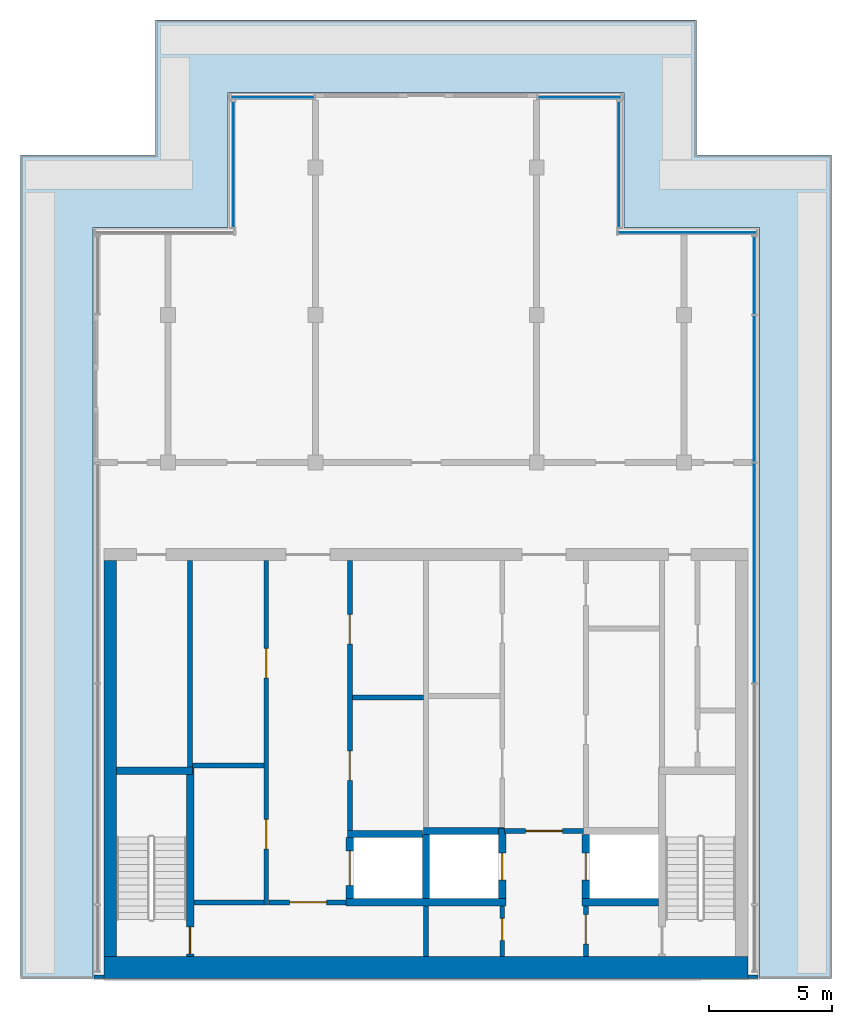
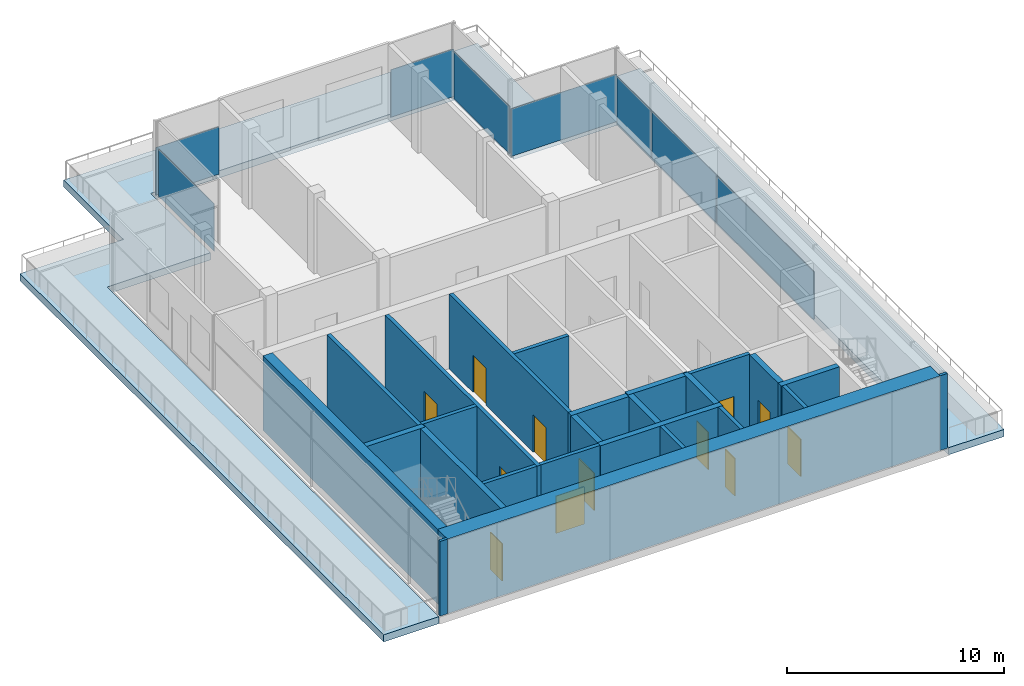
# One storey, part 2 of 6: 25 walls, 12 doors, 8 plates, 1 slab, 12 openings, 6 elements without a shape of their own.
"""IFC4 building model written with IfcOpenShell, lengths in metres."""

import ifcopenshell
import ifcopenshell.guid

model = None  # the IFC model being written
_history = None  # IfcOwnerHistory: only IFC2X3 demands one
_inside = {}  # id of a spatial element -> (the spatial element, [elements in it])
_under = {}  # id of a project, library or spatial element -> (it, [spatial elements below it])
_declared = {}  # id of a project -> (the project, [libraries it declares])
_typed = {}  # id of a type object -> (the type object, [elements of that type])
_made_of = {}  # id of a material, layer set ... -> (it, [elements and type objects made of it])


def new_model(schema):
    """Start an empty IFC model of exactly this schema.

    Asked for "IFC4X3", IfcOpenShell would pick the latest addendum, in which some entities
    have other attributes; the version numbers below select the first issue.
    IFC2X3 requires an IfcOwnerHistory on every rooted entity: one is made here for all.
    """
    global model, _history
    if schema == "IFC4X3":
        model = ifcopenshell.file(schema_version=(4, 3, 0, 0))
    else:
        model = ifcopenshell.file(schema=schema)
    _inside.clear()
    _under.clear()
    _declared.clear()
    _typed.clear()
    _made_of.clear()
    _history = None
    if model.schema == "IFC2X3":
        org = make("IfcOrganization", Name="unknown")
        user = make(
            "IfcPersonAndOrganization",
            ThePerson=make("IfcPerson", FamilyName="unknown"),
            TheOrganization=org,
        )
        app = make(
            "IfcApplication",
            ApplicationDeveloper=org,
            Version="unknown",
            ApplicationFullName="unknown",
            ApplicationIdentifier="unknown",
        )
        _history = make(
            "IfcOwnerHistory",
            OwningUser=user,
            OwningApplication=app,
            ChangeAction="ADDED",
            CreationDate=0,
        )
    return model


def make(cls, **values):
    """One entity of the class cls with the attributes given. An attribute that is None is left unset."""
    return model.create_entity(
        cls, **{name: value for name, value in values.items() if value is not None}
    )


def rooted(cls, **values):
    """An entity with a GlobalId (a new one), such as an element, a storey or a relation."""
    return make(cls, GlobalId=ifcopenshell.guid.new(), OwnerHistory=_history, **values)


def si_unit(unit_type, name, prefix=None):
    """IfcSIUnit, for example si_unit("LENGTHUNIT", "METRE", prefix="MILLI")."""
    return make("IfcSIUnit", UnitType=unit_type, Prefix=prefix, Name=name)


def assignment(units):
    """IfcUnitAssignment: the units of a project."""
    return None if units is None else make("IfcUnitAssignment", Units=units)


def point(xyz):
    """IfcCartesianPoint."""
    return None if xyz is None else make("IfcCartesianPoint", Coordinates=xyz)


def direction(xyz):
    """IfcDirection."""
    return None if xyz is None else make("IfcDirection", DirectionRatios=xyz)


def frame(location, z_axis=None, x_axis=None):
    """IfcAxis2Placement3D, a coordinate frame: its origin and axes. An axis left out is left unset."""
    return make(
        "IfcAxis2Placement3D",
        Location=point(location),
        Axis=direction(z_axis),
        RefDirection=direction(x_axis),
    )


def frame_2d(location, x_axis=None):
    """IfcAxis2Placement2D, a coordinate frame in the plane: its origin and x axis."""
    return make(
        "IfcAxis2Placement2D", Location=point(location), RefDirection=direction(x_axis)
    )


def origin():
    """The frame at (0, 0, 0) with its axes left unset."""
    return frame((0.0, 0.0, 0.0))


def origin_2d():
    """The frame at (0, 0) in the plane with its x axis left unset."""
    return frame_2d((0.0, 0.0))


def place(relative_to, where):
    """IfcLocalPlacement: puts the frame where relative to a parent placement (None: the world)."""
    return make(
        "IfcLocalPlacement", PlacementRelTo=relative_to, RelativePlacement=where
    )


def context(
    kind, dimensions, precision=None, world=None, true_north=None, identifier=None
):
    """IfcGeometricRepresentationContext, for example the 3D "Model" context."""
    return make(
        "IfcGeometricRepresentationContext",
        ContextIdentifier=identifier,
        ContextType=kind,
        CoordinateSpaceDimension=dimensions,
        Precision=precision,
        WorldCoordinateSystem=world,
        TrueNorth=true_north,
    )


def subcontext(parent, identifier, kind, view, scale=None):
    """IfcGeometricRepresentationSubContext, for example "Body" below "Model"."""
    return make(
        "IfcGeometricRepresentationSubContext",
        ContextIdentifier=identifier,
        ContextType=kind,
        ParentContext=parent,
        TargetScale=scale,
        TargetView=view,
    )


def project(units=None, contexts=None):
    """IfcProject with its units and contexts."""
    return rooted(
        "IfcProject",
        Name="project",
        RepresentationContexts=contexts,
        UnitsInContext=assignment(units),
    )


def spatial(cls, under=None, at=None, **own):
    """A site, building, storey or space (cls), placed at a placement, below another one or the project."""
    s = rooted(cls, ObjectPlacement=at, **own)
    if under is not None:
        _under.setdefault(under.id(), (under, []))[1].append(s)
    return s


def polyline(points):
    """IfcPolyline through the points."""
    return make("IfcPolyline", Points=[point(p) for p in points])


def profile(cls, at=None, kind="AREA", **sizes):
    """A parametric profile (cls). Its sizes go by their IFC names, for example OverallWidth=200.0."""
    return make(cls, ProfileType=kind, Position=at, **sizes)


def rectangle(**sizes):
    """IfcRectangleProfileDef."""
    return profile("IfcRectangleProfileDef", **sizes)


def outline(outer, holes=None, kind="AREA"):
    """IfcArbitraryClosedProfileDef: a profile drawn as a closed curve; with holes, ...WithVoids."""
    if holes is None:
        return make("IfcArbitraryClosedProfileDef", ProfileType=kind, OuterCurve=outer)
    return make(
        "IfcArbitraryProfileDefWithVoids",
        ProfileType=kind,
        OuterCurve=outer,
        InnerCurves=holes,
    )


def extrude(swept, where, along, depth):
    """IfcExtrudedAreaSolid: the profile swept, set in the frame where, extruded along a direction by depth."""
    return make(
        "IfcExtrudedAreaSolid",
        SweptArea=swept,
        Position=where,
        ExtrudedDirection=direction(along),
        Depth=depth,
    )


def shape(context_of_items, identifier, shape_type, items):
    """IfcShapeRepresentation: the items that make up one representation, for example the "Body"."""
    return make(
        "IfcShapeRepresentation",
        ContextOfItems=context_of_items,
        RepresentationIdentifier=identifier,
        RepresentationType=shape_type,
        Items=items,
    )


def material(Name=None, Category=None):
    """IfcMaterial."""
    return make("IfcMaterial", Name=Name, Category=Category)


def layer(
    of_material, thickness, ventilated=None, Name=None, Category=None, Priority=None
):
    """IfcMaterialLayer: one layer of a wall or slab, of a material (None: an air gap)."""
    return make(
        "IfcMaterialLayer",
        Material=of_material,
        LayerThickness=thickness,
        IsVentilated=ventilated,
        Name=Name,
        Category=Category,
        Priority=Priority,
    )


def layer_set(layers, Name=None):
    """IfcMaterialLayerSet."""
    return make("IfcMaterialLayerSet", MaterialLayers=layers, LayerSetName=Name)


def made_of(thing, what):
    """Note that an element or type object is made of a material, layer set ...; save() writes the relation."""
    if what is not None:
        _made_of.setdefault(what.id(), (what, []))[1].append(thing)
    return thing


def type_object(cls, material=None, **own):
    """A type object (cls), such as IfcWallType, which elements share."""
    return made_of(rooted(cls, **own), material)


def element(
    cls,
    number,
    at=None,
    inside=None,
    cuts=None,
    type_object=None,
    material=None,
    context=None,
    identifier="Body",
    shape_type=None,
    held_by="IfcProductDefinitionShape",
    body=None,
    shapes=None,
    **own,
):
    """One element of the class cls, such as IfcWall. Its Tag is "e" and its number.

    at: its placement. inside: the storey or other place that contains it. cuts: it is an
    opening in that element (IfcRelVoidsElement). A single representation is given by context,
    identifier, shape_type and body (its items); several are given by shapes. held_by: the class
    of the entity that holds the representations. save() writes the other relations.
    """
    e = rooted(cls, Tag="e%d" % number, ObjectPlacement=at, **own)
    if body is not None:
        shapes = [shape(context, identifier, shape_type, body)]
    if shapes is not None:
        e.Representation = make(held_by, Representations=shapes)
    if inside is not None:
        _inside.setdefault(inside.id(), (inside, []))[1].append(e)
    if cuts is not None:
        rooted(
            "IfcRelVoidsElement", RelatingBuildingElement=cuts, RelatedOpeningElement=e
        )
    if type_object is not None:
        _typed.setdefault(type_object.id(), (type_object, []))[1].append(e)
    return made_of(e, material)


def fill(opening, filler):
    """IfcRelFillsElement: the door or window that sits in an opening."""
    return rooted(
        "IfcRelFillsElement",
        RelatingOpeningElement=opening,
        RelatedBuildingElement=filler,
    )


def aggregate(whole, parts):
    """IfcRelAggregates: a whole, such as a stair, and the parts it consists of."""
    return rooted("IfcRelAggregates", RelatingObject=whole, RelatedObjects=parts)


def save(model, path):
    """Write the relations noted so far, then the file.

    IfcRelAggregates (storeys below a building ...), IfcRelContainedInSpatialStructure (elements
    in a storey), IfcRelDefinesByType, IfcRelAssociatesMaterial and IfcRelDeclares: one each for
    every whole, place, type object, material and project.
    """
    for whole, parts in _under.values():
        aggregate(whole, parts)
    for where, things in _inside.values():
        rooted(
            "IfcRelContainedInSpatialStructure",
            RelatedElements=things,
            RelatingStructure=where,
        )
    for kind, things in _typed.values():
        rooted("IfcRelDefinesByType", RelatedObjects=things, RelatingType=kind)
    for what, things in _made_of.values():
        rooted("IfcRelAssociatesMaterial", RelatedObjects=things, RelatingMaterial=what)
    for by, libraries in _declared.values():
        rooted("IfcRelDeclares", RelatingContext=by, RelatedDefinitions=libraries)
    model.write(path)


model = new_model("IFC4")

# Units and contexts
model_context = context("Model", 3, precision=1e-05, world=origin(), true_north=direction((0.0, 1.0)))
body_context = subcontext(model_context, "Body", "Model", "MODEL_VIEW")
ifc_project = project(units=[si_unit("LENGTHUNIT", "METRE"), si_unit("AREAUNIT", "SQUARE_METRE"), si_unit("VOLUMEUNIT", "CUBIC_METRE"), si_unit("PLANEANGLEUNIT", "RADIAN"), si_unit("MASSUNIT", "GRAM", prefix="KILO")], contexts=[model_context])

# Site, building, storey
site_placement = place(None, origin())
site = spatial("IfcSite", under=ifc_project, at=site_placement, CompositionType="ELEMENT")
building_placement = place(site_placement, origin())
building = spatial("IfcBuilding", under=site, at=building_placement, Name="Finial Court Residences", CompositionType="ELEMENT")
storey_placement = place(building_placement, frame((0.0, 0.0, 312.199951171875)))
storey = spatial("IfcBuildingStorey", under=building, at=storey_placement, Name="L79", CompositionType="ELEMENT", Elevation=312.199951171875)

# Curtain wall, plate
ifc_material_1 = material(Name="Bronze anodised aluminium", Category="aluminium")
curtain_wall_type = type_object("IfcCurtainWallType", Name="Crown lantern glazing", PredefinedType="NOTDEFINED", material=ifc_material_1)
curtain_wall_1_placement = place(storey_placement, origin())
curtain_wall_1 = element("IfcCurtainWall", 1, at=curtain_wall_1_placement, inside=storey, type_object=curtain_wall_type, Name="E-L79-CW-N3", PredefinedType="NOTDEFINED")
ifc_material_2 = material(Name="Clear low-e glass", Category="glass")
ifc_layer_1 = layer(ifc_material_2, 0.031982421875)
ifc_layer_set_1 = layer_set([ifc_layer_1], Name="CW6 vision glass 32")
plate_type = type_object("IfcPlateType", Name="CW6 vision glass 32", PredefinedType="CURTAIN_PANEL", material=ifc_layer_set_1)
plate_1_placement = place(storey_placement, frame((-6.25, 10.35009765625, 0.0), z_axis=(0.0, 0.0, 1.0), x_axis=(1.0, 0.0, 0.0)))
plate_1 = element("IfcPlate", 2, at=plate_1_placement, type_object=plate_type, Name="CW6 glass 1.1", PredefinedType="CURTAIN_PANEL", context=body_context, shape_type="SweptSolid", body=[
    extrude(rectangle(XDim=3.360107421875, YDim=0.031982421875, at=origin_2d()), origin(), (0.0, 0.0, 1.0), 2.6650390625),
])
aggregate(curtain_wall_1, [plate_1])

curtain_wall_2_placement = place(storey_placement, origin())
curtain_wall_2 = element("IfcCurtainWall", 3, at=curtain_wall_2_placement, inside=storey, type_object=curtain_wall_type, Name="E-L79-CW-N4", PredefinedType="NOTDEFINED")
plate_2_placement = place(storey_placement, frame((6.25, 10.35009765625, 0.0), z_axis=(0.0, 0.0, 1.0), x_axis=(1.0, 0.0, 0.0)))
plate_2 = element("IfcPlate", 4, at=plate_2_placement, type_object=plate_type, Name="CW6 glass 1.1", PredefinedType="CURTAIN_PANEL", context=body_context, shape_type="SweptSolid", body=[
    extrude(rectangle(XDim=3.360107421875, YDim=0.031982421875, at=origin_2d()), origin(), (0.0, 0.0, 1.0), 2.6650390625),
])
aggregate(curtain_wall_2, [plate_2])

# Curtain wall, plates
curtain_wall_3_placement = place(storey_placement, origin())
curtain_wall_3 = element("IfcCurtainWall", 5, at=curtain_wall_3_placement, inside=storey, type_object=curtain_wall_type, Name="E-L79-CW-E5", PredefinedType="NOTDEFINED")
plate_3_placement = place(storey_placement, frame((13.35009765625, -9.0, 0.0), z_axis=(0.0, 0.0, 1.0), x_axis=(0.0, 1.0, 0.0)))
plate_3 = element("IfcPlate", 6, at=plate_3_placement, type_object=plate_type, Name="CW6 glass 3.1", PredefinedType="CURTAIN_PANEL", context=body_context, shape_type="SweptSolid", body=[
    extrude(rectangle(XDim=8.929931640625, YDim=0.031982421875, at=origin_2d()), origin(), (0.0, 0.0, 1.0), 2.6650390625),
])
plate_4_placement = place(storey_placement, frame((13.35009765625, -1.5, 0.0), z_axis=(0.0, 0.0, 1.0), x_axis=(0.0, 1.0, 0.0)))
plate_4 = element("IfcPlate", 7, at=plate_4_placement, type_object=plate_type, Name="CW6 glass 4.1", PredefinedType="CURTAIN_PANEL", context=body_context, shape_type="SweptSolid", body=[
    extrude(rectangle(XDim=5.929931640625, YDim=0.031982421875, at=origin_2d()), origin(), (0.0, 0.0, 1.0), 2.6650390625),
])
plate_5_placement = place(storey_placement, frame((13.35009765625, 3.107421875, 0.0), z_axis=(0.0, 0.0, 1.0), x_axis=(0.0, 1.0, 0.0)))
plate_5 = element("IfcPlate", 8, at=plate_5_placement, type_object=plate_type, Name="CW6 glass 5.1", PredefinedType="CURTAIN_PANEL", context=body_context, shape_type="SweptSolid", body=[
    extrude(rectangle(XDim=3.14501953125, YDim=0.031982421875, at=origin_2d()), origin(), (0.0, 0.0, 1.0), 2.6650390625),
])
aggregate(curtain_wall_3, [plate_3, plate_4, plate_5])

# Curtain wall, plate
curtain_wall_4_placement = place(storey_placement, origin())
curtain_wall_4 = element("IfcCurtainWall", 9, at=curtain_wall_4_placement, inside=storey, type_object=curtain_wall_type, Name="E-L79-CW-W8n", PredefinedType="NOTDEFINED")
plate_6_placement = place(storey_placement, frame((-7.85009765625, 7.625, 0.0), z_axis=(0.0, 0.0, 1.0), x_axis=(0.0, 1.0, 0.0)))
plate_6 = element("IfcPlate", 10, at=plate_6_placement, type_object=plate_type, Name="CW6 glass 1.1", PredefinedType="CURTAIN_PANEL", context=body_context, shape_type="SweptSolid", body=[
    extrude(rectangle(XDim=5.110107421875, YDim=0.031982421875, at=origin_2d()), origin(), (0.0, 0.0, 1.0), 2.6650390625),
])
aggregate(curtain_wall_4, [plate_6])

curtain_wall_5_placement = place(storey_placement, origin())
curtain_wall_5 = element("IfcCurtainWall", 11, at=curtain_wall_5_placement, inside=storey, type_object=curtain_wall_type, Name="E-L79-CW-E10n", PredefinedType="NOTDEFINED")
plate_7_placement = place(storey_placement, frame((7.85009765625, 7.625, 0.0), z_axis=(0.0, 0.0, 1.0), x_axis=(0.0, 1.0, 0.0)))
plate_7 = element("IfcPlate", 12, at=plate_7_placement, type_object=plate_type, Name="CW6 glass 1.1", PredefinedType="CURTAIN_PANEL", context=body_context, shape_type="SweptSolid", body=[
    extrude(rectangle(XDim=5.110107421875, YDim=0.031982421875, at=origin_2d()), origin(), (0.0, 0.0, 1.0), 2.6650390625),
])
aggregate(curtain_wall_5, [plate_7])

curtain_wall_6_placement = place(storey_placement, origin())
curtain_wall_6 = element("IfcCurtainWall", 13, at=curtain_wall_6_placement, inside=storey, type_object=curtain_wall_type, Name="E-L79-CW-N11n", PredefinedType="NOTDEFINED")
plate_8_placement = place(storey_placement, frame((10.625, 4.85009765625, 0.0), z_axis=(0.0, 0.0, 1.0), x_axis=(1.0, 0.0, 0.0)))
plate_8 = element("IfcPlate", 14, at=plate_8_placement, type_object=plate_type, Name="CW6 glass 1.1", PredefinedType="CURTAIN_PANEL", context=body_context, shape_type="SweptSolid", body=[
    extrude(rectangle(XDim=5.610107421875, YDim=0.031982421875, at=origin_2d()), origin(), (0.0, 0.0, 1.0), 2.6650390625),
])
aggregate(curtain_wall_6, [plate_8])

# Slab
ifc_material_3 = material(Name="Concrete C40/50", Category="concrete")
ifc_layer_2 = layer(ifc_material_3, 0.39990234375)
ifc_layer_set_2 = layer_set([ifc_layer_2], Name="Terrace slab, Concrete C40/50 400")
slab_type = type_object("IfcSlabType", Name="Terrace slab, Concrete C40/50 400", PredefinedType="FLOOR", material=ifc_layer_set_2)
slab_placement = place(storey_placement, frame((0.0, 0.0, -0.39990234375)))
element("IfcSlab", 15, at=slab_placement, inside=storey, type_object=slab_type, Name="Terrace L79 1", PredefinedType="FLOOR", context=body_context, shape_type="SweptSolid", body=[
    extrude(outline(polyline([(-16.5, -25.5), (-16.5, 8.0), (-11.0, 8.0), (-11.0, 13.5), (11.0, 13.5), (11.0, 8.0), (16.5, 8.0), (16.5, -25.5), (13.56005859375, -25.5), (13.56005859375, 5.06005859375), (8.06005859375, 5.06005859375), (8.06005859375, 10.56005859375), (-8.06005859375, 10.56005859375), (-8.06005859375, 5.06005859375), (-13.56005859375, 5.06005859375), (-13.56005859375, -25.5), (-16.5, -25.5)])), origin(), (0.0, 0.0, 1.0), 0.39990234375),
])

# Walls
ifc_material_4 = material(Name="Concrete C50/60", Category="concrete")
ifc_layer_3 = layer(ifc_material_4, 0.5)
ifc_layer_set_3 = layer_set([ifc_layer_3], Name="Core outer wall 500 Concrete C50/60")
wall_type_1 = type_object("IfcWallType", Name="Core outer wall 500 Concrete C50/60", PredefinedType="SHEAR", material=ifc_layer_set_3)
wall_1_placement = place(storey_placement, frame((-12.85009765625, -24.60009765625, 0.0), z_axis=(0.0, 0.0, 1.0), x_axis=(0.0, 1.0, 0.0)))
element("IfcWall", 16, at=wall_1_placement, inside=storey, type_object=wall_type_1, Name="Core outer wall L79-03", PredefinedType="SHEAR", context=body_context, shape_type="SweptSolid", body=[
    extrude(rectangle(XDim=16.10009765625, YDim=0.5, at=frame_2d((8.050048828125, 0.0))), origin(), (0.0, 0.0, 1.0), 4.199951171875),
])
ifc_layer_4 = layer(ifc_material_4, 0.89990234375)
ifc_layer_set_4 = layer_set([ifc_layer_4], Name="Core south facade wall 900 Concrete C50/60")
wall_type_2 = type_object("IfcWallType", Name="Core south facade wall 900 Concrete C50/60", PredefinedType="SHEAR", material=ifc_layer_set_4)
wall_2_placement = place(storey_placement, frame((-13.10009765625, -25.050048828125, 0.0), z_axis=(0.0, 0.0, 1.0), x_axis=(1.0, 0.0, 0.0)))
element("IfcWall", 17, at=wall_2_placement, inside=storey, type_object=wall_type_2, Name="Core outer wall L79-01", PredefinedType="SHEAR", context=body_context, shape_type="SweptSolid", body=[
    extrude(rectangle(XDim=26.2001953125, YDim=0.89990234375, at=frame_2d((13.10009765625, 0.0))), origin(), (0.0, 0.0, 1.0), 4.199951171875),
])

# Wall, opening, door
ifc_material_5 = material(Name="Fire-rated gypsum board partition")
ifc_layer_5 = layer(ifc_material_5, 0.199951171875)
ifc_layer_set_5 = layer_set([ifc_layer_5], Name="Firefighting lobby wall 200 EI 120")
wall_type_3 = type_object("IfcWallType", Name="Firefighting lobby wall 200 EI 120", PredefinedType="PARTITIONING", material=ifc_layer_set_5)
wall_3_placement = place(storey_placement, frame((6.39990234375, -19.5, 0.0), z_axis=(0.0, 0.0, 1.0), x_axis=(-1.0, 0.0, 0.0)))
wall_3 = element("IfcWall", 18, at=wall_3_placement, inside=storey, type_object=wall_type_3, Name="Core partition L79-07", PredefinedType="PARTITIONING", context=body_context, shape_type="SweptSolid", body=[
    extrude(rectangle(XDim=3.199951171875, YDim=0.199951171875, at=frame_2d((1.60009765625, 0.0))), origin(), (0.0, 0.0, 1.0), 4.199951171875),
])
opening_1_placement = place(wall_3_placement, frame((0.85009765625, 0.0, 0.0)))
opening_1 = element("IfcOpeningElement", 19, at=opening_1_placement, cuts=wall_3, Name="Opening L79-C02", PredefinedType="OPENING", context=body_context, shape_type="SweptSolid", body=[
    extrude(rectangle(XDim=1.5, YDim=2.10009765625, at=frame_2d((0.75, 1.050048828125))), frame((0.0, 0.10986328125, 0.0), z_axis=(0.0, -1.0, 0.0), x_axis=(1.0, 0.0, 0.0)), (0.0, 0.0, 1.0), 0.219970703125),
])
ifc_material_6 = material(Name="Steel fire door", Category="steel")
door_type_1 = type_object("IfcDoorType", Name="Firefighting lobby door 1500 x 2100 EI 90", OperationType="DOUBLE_DOOR_SINGLE_SWING", PredefinedType="DOOR", material=ifc_material_6)
door_1_placement = place(opening_1_placement, origin())
door_1 = element("IfcDoor", 20, at=door_1_placement, inside=storey, type_object=door_type_1, Name="Firefighting lobby door L79-C02", OperationType="DOUBLE_DOOR_SINGLE_SWING", OverallHeight=2.10009765625, OverallWidth=1.5, PredefinedType="DOOR", context=body_context, shape_type="SweptSolid", body=[
    extrude(rectangle(XDim=1.5, YDim=2.10009765625, at=frame_2d((0.75, 1.050048828125))), frame((0.0, 0.02490234375, 0.0), z_axis=(0.0, -1.0, 0.0), x_axis=(1.0, 0.0, 0.0)), (0.0, 0.0, 1.0), 0.050048828125),
])
fill(opening_1, door_1)

wall_4_placement = place(storey_placement, frame((3.10009765625, -24.60009765625, 0.0), z_axis=(0.0, 0.0, 1.0), x_axis=(0.0, 1.0, 0.0)))
wall_4 = element("IfcWall", 21, at=wall_4_placement, inside=storey, type_object=wall_type_3, Name="Core partition L79-24", PredefinedType="PARTITIONING", context=body_context, shape_type="SweptSolid", body=[
    extrude(rectangle(XDim=2.050048828125, YDim=0.199951171875, at=frame_2d((1.02490234375, 0.0))), origin(), (0.0, 0.0, 1.0), 4.199951171875),
])
opening_2_placement = place(wall_4_placement, frame((0.64990234375, 0.0, 0.0)))
opening_2 = element("IfcOpeningElement", 22, at=opening_2_placement, cuts=wall_4, Name="Opening L79-C17", PredefinedType="OPENING", context=body_context, shape_type="SweptSolid", body=[
    extrude(rectangle(XDim=0.89990234375, YDim=2.10009765625, at=frame_2d((0.449951171875, 1.050048828125))), frame((0.0, 0.10986328125, 0.0), z_axis=(0.0, -1.0, 0.0), x_axis=(1.0, 0.0, 0.0)), (0.0, 0.0, 1.0), 0.219970703125),
])
door_type_2 = type_object("IfcDoorType", Name="Riser room door 900 x 2100 EI 90", OperationType="NOTDEFINED", PredefinedType="DOOR", material=ifc_material_6)
door_2_placement = place(opening_2_placement, origin())
door_2 = element("IfcDoor", 23, at=door_2_placement, inside=storey, type_object=door_type_2, Name="Riser room door L79-C17", OperationType="SINGLE_SWING_LEFT", OverallHeight=2.10009765625, OverallWidth=0.89990234375, PredefinedType="DOOR", context=body_context, shape_type="SweptSolid", body=[
    extrude(rectangle(XDim=0.89990234375, YDim=2.10009765625, at=frame_2d((0.449951171875, 1.050048828125))), frame((0.0, 0.02490234375, 0.0), z_axis=(0.0, -1.0, 0.0), x_axis=(1.0, 0.0, 0.0)), (0.0, 0.0, 1.0), 0.050048828125),
])
fill(opening_2, door_2)

wall_5_placement = place(storey_placement, frame((6.5, -22.550048828125, 0.0), z_axis=(0.0, 0.0, 1.0), x_axis=(0.0, -1.0, 0.0)))
wall_5 = element("IfcWall", 24, at=wall_5_placement, inside=storey, type_object=wall_type_3, Name="Core partition L79-27", PredefinedType="PARTITIONING", context=body_context, shape_type="SweptSolid", body=[
    extrude(rectangle(XDim=2.050048828125, YDim=0.199951171875, at=frame_2d((1.02490234375, 0.0))), origin(), (0.0, 0.0, 1.0), 4.199951171875),
])
opening_3_placement = place(wall_5_placement, frame((0.35009765625, 0.0, 0.0)))
opening_3 = element("IfcOpeningElement", 25, at=opening_3_placement, cuts=wall_5, Name="Opening L79-C01", PredefinedType="OPENING", context=body_context, shape_type="SweptSolid", body=[
    extrude(rectangle(XDim=1.199951171875, YDim=2.10009765625, at=frame_2d((0.60009765625, 1.050048828125))), frame((0.0, 0.10986328125, 0.0), z_axis=(0.0, -1.0, 0.0), x_axis=(1.0, 0.0, 0.0)), (0.0, 0.0, 1.0), 0.219970703125),
])
door_type_3 = type_object("IfcDoorType", Name="Firefighting lobby door 1200 x 2100 EI 90", OperationType="NOTDEFINED", PredefinedType="DOOR", material=ifc_material_6)
door_3_placement = place(opening_3_placement, origin())
door_3 = element("IfcDoor", 26, at=door_3_placement, inside=storey, type_object=door_type_3, Name="Firefighting lobby door L79-C01", OperationType="SINGLE_SWING_RIGHT", OverallHeight=2.10009765625, OverallWidth=1.199951171875, PredefinedType="DOOR", context=body_context, shape_type="SweptSolid", body=[
    extrude(rectangle(XDim=1.199951171875, YDim=2.10009765625, at=frame_2d((0.60009765625, 1.050048828125))), frame((0.0, 0.02490234375, 0.0), z_axis=(0.0, -1.0, 0.0), x_axis=(1.0, 0.0, 0.0)), (0.0, 0.0, 1.0), 0.050048828125),
])
fill(opening_3, door_3)

# Walls
ifc_layer_6 = layer(ifc_material_4, 0.300048828125)
ifc_layer_set_6 = layer_set([ifc_layer_6], Name="Lift shaft and stair wall 300 Concrete C50/60")
wall_type_4 = type_object("IfcWallType", Name="Lift shaft and stair wall 300 Concrete C50/60", PredefinedType="SHEAR", material=ifc_layer_set_6)
wall_6_placement = place(storey_placement, frame((-3.25, -22.39990234375, 0.0), z_axis=(0.0, 0.0, 1.0), x_axis=(1.0, 0.0, 0.0)))
element("IfcWall", 27, at=wall_6_placement, inside=storey, type_object=wall_type_4, Name="Core wall L79-03", PredefinedType="SHEAR", context=body_context, shape_type="SweptSolid", body=[
    extrude(rectangle(XDim=6.5, YDim=0.300048828125, at=frame_2d((3.25, 0.0))), origin(), (0.0, 0.0, 1.0), 4.199951171875),
])
wall_7_placement = place(storey_placement, frame((6.35009765625, -22.39990234375, 0.0), z_axis=(0.0, 0.0, 1.0), x_axis=(1.0, 0.0, 0.0)))
element("IfcWall", 28, at=wall_7_placement, inside=storey, type_object=wall_type_4, Name="Core wall L79-04", PredefinedType="SHEAR", context=body_context, shape_type="SweptSolid", body=[
    extrude(rectangle(XDim=3.099853515625, YDim=0.300048828125, at=frame_2d((1.5498046875, 0.0))), origin(), (0.0, 0.0, 1.0), 4.199951171875),
])
wall_8_placement = place(storey_placement, frame((-3.199951171875, -19.6201171875, 0.0), z_axis=(0.0, 0.0, 1.0), x_axis=(1.0, 0.0, 0.0)))
element("IfcWall", 29, at=wall_8_placement, inside=storey, type_object=wall_type_4, Name="Core wall L79-05", PredefinedType="SHEAR", context=body_context, shape_type="SweptSolid", body=[
    extrude(rectangle(XDim=3.050048828125, YDim=0.300048828125, at=frame_2d((1.52490234375, 0.0))), origin(), (0.0, 0.0, 1.0), 4.199951171875),
])
wall_9_placement = place(storey_placement, frame((-0.10009765625, -19.5, 0.0), z_axis=(0.0, 0.0, 1.0), x_axis=(1.0, 0.0, 0.0)))
element("IfcWall", 30, at=wall_9_placement, inside=storey, type_object=wall_type_4, Name="Core wall L79-06", PredefinedType="SHEAR", context=body_context, shape_type="SweptSolid", body=[
    extrude(rectangle(XDim=3.300048828125, YDim=0.300048828125, at=frame_2d((1.64990234375, 0.0))), origin(), (0.0, 0.0, 1.0), 4.199951171875),
])
wall_10_placement = place(storey_placement, frame((-12.60009765625, -17.050048828125, 0.0), z_axis=(0.0, 0.0, 1.0), x_axis=(1.0, 0.0, 0.0)))
element("IfcWall", 31, at=wall_10_placement, inside=storey, type_object=wall_type_4, Name="Core wall L79-09", PredefinedType="SHEAR", context=body_context, shape_type="SweptSolid", body=[
    extrude(rectangle(XDim=3.10009765625, YDim=0.300048828125, at=frame_2d((1.550048828125, 0.0))), origin(), (0.0, 0.0, 1.0), 4.199951171875),
])

# Wall, opening, door
wall_11_placement = place(storey_placement, frame((-9.60009765625, -24.60009765625, 0.0), z_axis=(0.0, 0.0, 1.0), x_axis=(0.0, 1.0, 0.0)))
wall_11 = element("IfcWall", 32, at=wall_11_placement, inside=storey, type_object=wall_type_4, Name="Core wall L79-16", PredefinedType="SHEAR", context=body_context, shape_type="SweptSolid", body=[
    extrude(rectangle(XDim=7.7001953125, YDim=0.300048828125, at=frame_2d((3.85009765625, 0.0))), origin(), (0.0, 0.0, 1.0), 4.199951171875),
])
opening_4_placement = place(wall_11_placement, frame((0.10009765625, 0.0, 0.0)))
opening_4 = element("IfcOpeningElement", 33, at=opening_4_placement, cuts=wall_11, Name="Opening L79-C19", PredefinedType="OPENING", context=body_context, shape_type="SweptSolid", body=[
    extrude(rectangle(XDim=1.10009765625, YDim=2.10009765625, at=frame_2d((0.550048828125, 1.050048828125))), frame((0.0, 0.159912109375, 0.0), z_axis=(0.0, -1.0, 0.0), x_axis=(1.0, 0.0, 0.0)), (0.0, 0.0, 1.0), 0.320068359375),
])
door_type_4 = type_object("IfcDoorType", Name="Stair door 1100 x 2100 EI 90", OperationType="NOTDEFINED", PredefinedType="DOOR", material=ifc_material_6)
door_4_placement = place(opening_4_placement, origin())
door_4 = element("IfcDoor", 34, at=door_4_placement, inside=storey, type_object=door_type_4, Name="Stair door L79-C19", OperationType="SINGLE_SWING_LEFT", OverallHeight=2.10009765625, OverallWidth=1.10009765625, PredefinedType="DOOR", context=body_context, shape_type="SweptSolid", body=[
    extrude(rectangle(XDim=1.10009765625, YDim=2.10009765625, at=frame_2d((0.550048828125, 1.050048828125))), frame((0.0, 0.02490234375, 0.0), z_axis=(0.0, -1.0, 0.0), x_axis=(1.0, 0.0, 0.0)), (0.0, 0.0, 1.0), 0.050048828125),
])
fill(opening_4, door_4)

wall_12_placement = place(storey_placement, frame((-3.10009765625, -22.25, 0.0), z_axis=(0.0, 0.0, 1.0), x_axis=(0.0, 1.0, 0.0)))
wall_12 = element("IfcWall", 35, at=wall_12_placement, inside=storey, type_object=wall_type_4, Name="Core wall L79-19", PredefinedType="SHEAR", context=body_context, shape_type="SweptSolid", body=[
    extrude(rectangle(XDim=2.47998046875, YDim=0.300048828125, at=frame_2d((1.239990234375, 0.0))), origin(), (0.0, 0.0, 1.0), 4.199951171875),
])
opening_5_placement = place(wall_12_placement, frame((0.5400390625, 0.0, 0.0)))
opening_5 = element("IfcOpeningElement", 36, at=opening_5_placement, cuts=wall_12, Name="Opening L79-LD03", PredefinedType="OPENING", context=body_context, shape_type="SweptSolid", body=[
    extrude(rectangle(XDim=1.39990234375, YDim=2.10009765625, at=frame_2d((0.699951171875, 1.050048828125))), frame((0.0, 0.159912109375, 0.0), z_axis=(0.0, -1.0, 0.0), x_axis=(1.0, 0.0, 0.0)), (0.0, 0.0, 1.0), 0.320068359375),
])
ifc_material_7 = material(Name="Stainless steel lift door", Category="steel")
door_type_5 = type_object("IfcDoorType", Name="Lift landing door 1400 x 2100 EI 90", OperationType="DOUBLE_DOOR_SLIDING", PredefinedType="DOOR", material=ifc_material_7)
door_5_placement = place(opening_5_placement, origin())
door_5 = element("IfcDoor", 37, at=door_5_placement, inside=storey, type_object=door_type_5, Name="Lift landing door SV1 L79", OperationType="DOUBLE_DOOR_SLIDING", OverallHeight=2.10009765625, OverallWidth=1.39990234375, PredefinedType="DOOR", context=body_context, shape_type="SweptSolid", body=[
    extrude(rectangle(XDim=1.39990234375, YDim=2.10009765625, at=frame_2d((0.699951171875, 1.050048828125))), frame((0.0, 0.02490234375, 0.0), z_axis=(0.0, -1.0, 0.0), x_axis=(1.0, 0.0, 0.0)), (0.0, 0.0, 1.0), 0.050048828125),
])
fill(opening_5, door_5)

# Wall
wall_13_placement = place(storey_placement, frame((0.0, -22.25, 0.0), z_axis=(0.0, 0.0, 1.0), x_axis=(0.0, 1.0, 0.0)))
element("IfcWall", 38, at=wall_13_placement, inside=storey, type_object=wall_type_4, Name="Core wall L79-22", PredefinedType="SHEAR", context=body_context, shape_type="SweptSolid", body=[
    extrude(rectangle(XDim=2.60009765625, YDim=0.300048828125, at=frame_2d((1.300048828125, 0.0))), origin(), (0.0, 0.0, 1.0), 4.199951171875),
])

# Wall, opening, door
wall_14_placement = place(storey_placement, frame((3.10009765625, -22.25, 0.0), z_axis=(0.0, 0.0, 1.0), x_axis=(0.0, 1.0, 0.0)))
wall_14 = element("IfcWall", 39, at=wall_14_placement, inside=storey, type_object=wall_type_4, Name="Core wall L79-25", PredefinedType="SHEAR", context=body_context, shape_type="SweptSolid", body=[
    extrude(rectangle(XDim=2.85009765625, YDim=0.300048828125, at=frame_2d((1.425048828125, 0.0))), origin(), (0.0, 0.0, 1.0), 4.199951171875),
])
opening_6_placement = place(wall_14_placement, frame((0.75, 0.0, 0.0)))
opening_6 = element("IfcOpeningElement", 40, at=opening_6_placement, cuts=wall_14, Name="Opening L79-LD01", PredefinedType="OPENING", context=body_context, shape_type="SweptSolid", body=[
    extrude(rectangle(XDim=1.10009765625, YDim=2.10009765625, at=frame_2d((0.550048828125, 1.050048828125))), frame((0.0, 0.159912109375, 0.0), z_axis=(0.0, -1.0, 0.0), x_axis=(1.0, 0.0, 0.0)), (0.0, 0.0, 1.0), 0.320068359375),
])
door_type_6 = type_object("IfcDoorType", Name="Lift landing door 1100 x 2100 EI 90", OperationType="DOUBLE_DOOR_SLIDING", PredefinedType="DOOR", material=ifc_material_7)
door_6_placement = place(opening_6_placement, origin())
door_6 = element("IfcDoor", 41, at=door_6_placement, inside=storey, type_object=door_type_6, Name="Lift landing door FF1 L79", OperationType="DOUBLE_DOOR_SLIDING", OverallHeight=2.10009765625, OverallWidth=1.10009765625, PredefinedType="DOOR", context=body_context, shape_type="SweptSolid", body=[
    extrude(rectangle(XDim=1.10009765625, YDim=2.10009765625, at=frame_2d((0.550048828125, 1.050048828125))), frame((0.0, 0.02490234375, 0.0), z_axis=(0.0, -1.0, 0.0), x_axis=(1.0, 0.0, 0.0)), (0.0, 0.0, 1.0), 0.050048828125),
])
fill(opening_6, door_6)

wall_15_placement = place(storey_placement, frame((6.5, -22.25, 0.0), z_axis=(0.0, 0.0, 1.0), x_axis=(0.0, 1.0, 0.0)))
wall_15 = element("IfcWall", 42, at=wall_15_placement, inside=storey, type_object=wall_type_4, Name="Core wall L79-28", PredefinedType="SHEAR", context=body_context, shape_type="SweptSolid", body=[
    extrude(rectangle(XDim=2.60009765625, YDim=0.300048828125, at=frame_2d((1.300048828125, 0.0))), origin(), (0.0, 0.0, 1.0), 4.199951171875),
])
opening_7_placement = place(wall_15_placement, frame((0.75, 0.0, 0.0)))
opening_7 = element("IfcOpeningElement", 43, at=opening_7_placement, cuts=wall_15, Name="Opening L79-LD02", PredefinedType="OPENING", context=body_context, shape_type="SweptSolid", body=[
    extrude(rectangle(XDim=1.10009765625, YDim=2.10009765625, at=frame_2d((0.550048828125, 1.050048828125))), frame((0.0, 0.159912109375, 0.0), z_axis=(0.0, -1.0, 0.0), x_axis=(1.0, 0.0, 0.0)), (0.0, 0.0, 1.0), 0.320068359375),
])
door_7_placement = place(opening_7_placement, origin())
door_7 = element("IfcDoor", 44, at=door_7_placement, inside=storey, type_object=door_type_6, Name="Lift landing door FF2 L79", OperationType="DOUBLE_DOOR_SLIDING", OverallHeight=2.10009765625, OverallWidth=1.10009765625, PredefinedType="DOOR", context=body_context, shape_type="SweptSolid", body=[
    extrude(rectangle(XDim=1.10009765625, YDim=2.10009765625, at=frame_2d((0.550048828125, 1.050048828125))), frame((0.0, 0.02490234375, 0.0), z_axis=(0.0, -1.0, 0.0), x_axis=(1.0, 0.0, 0.0)), (0.0, 0.0, 1.0), 0.050048828125),
])
fill(opening_7, door_7)

# Walls
ifc_material_8 = material(Name="Natural limestone", Category="masonry")
ifc_layer_7 = layer(ifc_material_8, 0.14990234375)
ifc_layer_set_7 = layer_set([ifc_layer_7], Name="Limestone clad wall 150")
wall_type_5 = type_object("IfcWallType", Name="Limestone clad wall 150", PredefinedType="SOLIDWALL", material=ifc_layer_set_7)
for number, where, z_axis, x_axis, name in (
    (45, (-13.10009765625, -25.425048828125, 0.0), (0.0, 0.0, 1.0), (-1.0, 0.0, 0.0), "E-L79-STUBS1"),
    (46, (13.5, -25.425048828125, 0.0), (0.0, 0.0, 1.0), (-1.0, 0.0, 0.0), "E-L79-STUBS2"),
):
    element("IfcWall", number, at=place(storey_placement, frame(where, z_axis=z_axis, x_axis=x_axis)), inside=storey, type_object=wall_type_5, Name=name, PredefinedType="SOLIDWALL", context=body_context, shape_type="SweptSolid", body=[
        extrude(rectangle(XDim=0.39990234375, YDim=0.14990234375, at=frame_2d((0.199951171875, 0.0))), origin(), (0.0, 0.0, 1.0), 4.199951171875),
    ])
ifc_layer_8 = layer(ifc_material_5, 0.199951171875)
ifc_layer_set_8 = layer_set([ifc_layer_8], Name="Riser room wall 200 EI 120")
wall_type_6 = type_object("IfcWallType", Name="Riser room wall 200 EI 120", PredefinedType="PARTITIONING", material=ifc_layer_set_8)
wall_16_placement = place(storey_placement, frame((-9.449951171875, -22.39990234375, 0.0), z_axis=(0.0, 0.0, 1.0), x_axis=(1.0, 0.0, 0.0)))
element("IfcWall", 47, at=wall_16_placement, inside=storey, type_object=wall_type_6, Name="Core partition L79-01", PredefinedType="PARTITIONING", context=body_context, shape_type="SweptSolid", body=[
    extrude(rectangle(XDim=2.849853515625, YDim=0.199951171875, at=frame_2d((1.4248046875, 0.0))), origin(), (0.0, 0.0, 1.0), 4.199951171875),
])
for number, where, z_axis, x_axis, name in (
    (48, (-9.5, -16.840087890625, 0.0), (0.0, 0.0, 1.0), (1.0, 0.0, 0.0), "Core partition L79-11"),
    (49, (-3.0, -14.06005859375, 0.0), (0.0, 0.0, 1.0), (1.0, 0.0, 0.0), "Core partition L79-13"),
):
    element("IfcWall", number, at=place(storey_placement, frame(where, z_axis=z_axis, x_axis=x_axis)), inside=storey, type_object=wall_type_6, Name=name, PredefinedType="PARTITIONING", context=body_context, shape_type="SweptSolid", body=[
        extrude(rectangle(XDim=2.89990234375, YDim=0.199951171875, at=frame_2d((1.449951171875, 0.0))), origin(), (0.0, 0.0, 1.0), 4.199951171875),
    ])
wall_17_placement = place(storey_placement, frame((-9.60009765625, -16.89990234375, 0.0), z_axis=(0.0, 0.0, 1.0), x_axis=(0.0, 1.0, 0.0)))
element("IfcWall", 50, at=wall_17_placement, inside=storey, type_object=wall_type_6, Name="Core partition L79-17", PredefinedType="PARTITIONING", context=body_context, shape_type="SweptSolid", body=[
    extrude(rectangle(XDim=8.39990234375, YDim=0.199951171875, at=frame_2d((4.199951171875, 0.0))), origin(), (0.0, 0.0, 1.0), 4.199951171875),
])

# Wall, openings, doors
wall_18_placement = place(storey_placement, frame((-6.5, -22.5, 0.0), z_axis=(0.0, 0.0, 1.0), x_axis=(0.0, 1.0, 0.0)))
wall_18 = element("IfcWall", 51, at=wall_18_placement, inside=storey, type_object=wall_type_6, Name="Core partition L79-18", PredefinedType="PARTITIONING", context=body_context, shape_type="SweptSolid", body=[
    extrude(rectangle(XDim=14.0, YDim=0.199951171875, at=frame_2d((7.0, 0.0))), origin(), (0.0, 0.0, 1.0), 4.199951171875),
])
opening_8_placement = place(wall_18_placement, frame((2.280029296875, 0.0, 0.0)))
opening_8 = element("IfcOpeningElement", 52, at=opening_8_placement, cuts=wall_18, Name="Opening L79-C07", PredefinedType="OPENING", context=body_context, shape_type="SweptSolid", body=[
    extrude(rectangle(XDim=1.199951171875, YDim=2.10009765625, at=frame_2d((0.60009765625, 1.050048828125))), frame((0.0, 0.10986328125, 0.0), z_axis=(0.0, -1.0, 0.0), x_axis=(1.0, 0.0, 0.0)), (0.0, 0.0, 1.0), 0.219970703125),
])
opening_9_placement = place(wall_18_placement, frame((9.22998046875, 0.0, 0.0)))
opening_9 = element("IfcOpeningElement", 53, at=opening_9_placement, cuts=wall_18, Name="Opening L79-C08", PredefinedType="OPENING", context=body_context, shape_type="SweptSolid", body=[
    extrude(rectangle(XDim=1.199951171875, YDim=2.10009765625, at=frame_2d((0.60009765625, 1.050048828125))), frame((0.0, 0.10986328125, 0.0), z_axis=(0.0, -1.0, 0.0), x_axis=(1.0, 0.0, 0.0)), (0.0, 0.0, 1.0), 0.219970703125),
])
door_type_7 = type_object("IfcDoorType", Name="Riser room door 1200 x 2100 EI 90", OperationType="NOTDEFINED", PredefinedType="DOOR", material=ifc_material_6)
door_8_placement = place(opening_8_placement, origin())
door_8 = element("IfcDoor", 54, at=door_8_placement, inside=storey, type_object=door_type_7, Name="Riser room door L79-C07", OperationType="SINGLE_SWING_LEFT", OverallHeight=2.10009765625, OverallWidth=1.199951171875, PredefinedType="DOOR", context=body_context, shape_type="SweptSolid", body=[
    extrude(rectangle(XDim=1.199951171875, YDim=2.10009765625, at=frame_2d((0.60009765625, 1.050048828125))), frame((0.0, 0.02490234375, 0.0), z_axis=(0.0, -1.0, 0.0), x_axis=(1.0, 0.0, 0.0)), (0.0, 0.0, 1.0), 0.050048828125),
])
fill(opening_8, door_8)
door_9_placement = place(opening_9_placement, origin())
door_9 = element("IfcDoor", 55, at=door_9_placement, inside=storey, type_object=door_type_7, Name="Riser room door L79-C08", OperationType="SINGLE_SWING_LEFT", OverallHeight=2.10009765625, OverallWidth=1.199951171875, PredefinedType="DOOR", context=body_context, shape_type="SweptSolid", body=[
    extrude(rectangle(XDim=1.199951171875, YDim=2.10009765625, at=frame_2d((0.60009765625, 1.050048828125))), frame((0.0, 0.02490234375, 0.0), z_axis=(0.0, -1.0, 0.0), x_axis=(1.0, 0.0, 0.0)), (0.0, 0.0, 1.0), 0.050048828125),
])
fill(opening_9, door_9)

wall_19_placement = place(storey_placement, frame((-3.10009765625, -8.5, 0.0), z_axis=(0.0, 0.0, 1.0), x_axis=(0.0, -1.0, 0.0)))
wall_19 = element("IfcWall", 56, at=wall_19_placement, inside=storey, type_object=wall_type_6, Name="Core partition L79-20", PredefinedType="PARTITIONING", context=body_context, shape_type="SweptSolid", body=[
    extrude(rectangle(XDim=10.969970703125, YDim=0.199951171875, at=frame_2d((5.48486328125, 0.0))), origin(), (0.0, 0.0, 1.0), 4.199951171875),
])
opening_10_placement = place(wall_19_placement, frame((7.739990234375, 0.0, 0.0)))
opening_10 = element("IfcOpeningElement", 57, at=opening_10_placement, cuts=wall_19, Name="Opening L79-C09", PredefinedType="OPENING", context=body_context, shape_type="SweptSolid", body=[
    extrude(rectangle(XDim=1.199951171875, YDim=2.10009765625, at=frame_2d((0.60009765625, 1.050048828125))), frame((0.0, 0.10986328125, 0.0), z_axis=(0.0, -1.0, 0.0), x_axis=(1.0, 0.0, 0.0)), (0.0, 0.0, 1.0), 0.219970703125),
])
opening_11_placement = place(wall_19_placement, frame((2.179931640625, 0.0, 0.0)))
opening_11 = element("IfcOpeningElement", 58, at=opening_11_placement, cuts=wall_19, Name="Opening L79-C10", PredefinedType="OPENING", context=body_context, shape_type="SweptSolid", body=[
    extrude(rectangle(XDim=1.199951171875, YDim=2.10009765625, at=frame_2d((0.60009765625, 1.050048828125))), frame((0.0, 0.10986328125, 0.0), z_axis=(0.0, -1.0, 0.0), x_axis=(1.0, 0.0, 0.0)), (0.0, 0.0, 1.0), 0.219970703125),
])
door_10_placement = place(opening_10_placement, origin())
door_10 = element("IfcDoor", 59, at=door_10_placement, inside=storey, type_object=door_type_7, Name="Riser room door L79-C09", OperationType="SINGLE_SWING_LEFT", OverallHeight=2.10009765625, OverallWidth=1.199951171875, PredefinedType="DOOR", context=body_context, shape_type="SweptSolid", body=[
    extrude(rectangle(XDim=1.199951171875, YDim=2.10009765625, at=frame_2d((0.60009765625, 1.050048828125))), frame((0.0, 0.02490234375, 0.0), z_axis=(0.0, -1.0, 0.0), x_axis=(1.0, 0.0, 0.0)), (0.0, 0.0, 1.0), 0.050048828125),
])
fill(opening_10, door_10)
door_11_placement = place(opening_11_placement, origin())
door_11 = element("IfcDoor", 60, at=door_11_placement, inside=storey, type_object=door_type_7, Name="Riser room door L79-C10", OperationType="SINGLE_SWING_LEFT", OverallHeight=2.10009765625, OverallWidth=1.199951171875, PredefinedType="DOOR", context=body_context, shape_type="SweptSolid", body=[
    extrude(rectangle(XDim=1.199951171875, YDim=2.10009765625, at=frame_2d((0.60009765625, 1.050048828125))), frame((0.0, 0.02490234375, 0.0), z_axis=(0.0, -1.0, 0.0), x_axis=(1.0, 0.0, 0.0)), (0.0, 0.0, 1.0), 0.050048828125),
])
fill(opening_11, door_11)

# Wall
wall_20_placement = place(storey_placement, frame((0.0, -24.60009765625, 0.0), z_axis=(0.0, 0.0, 1.0), x_axis=(0.0, 1.0, 0.0)))
element("IfcWall", 61, at=wall_20_placement, inside=storey, type_object=wall_type_6, Name="Core partition L79-21", PredefinedType="PARTITIONING", context=body_context, shape_type="SweptSolid", body=[
    extrude(rectangle(XDim=2.050048828125, YDim=0.199951171875, at=frame_2d((1.02490234375, 0.0))), origin(), (0.0, 0.0, 1.0), 4.199951171875),
])

# Wall, opening, door
ifc_layer_9 = layer(ifc_material_5, 0.199951171875)
ifc_layer_set_9 = layer_set([ifc_layer_9], Name="Stair passage wall 200 EI 180")
wall_type_7 = type_object("IfcWallType", Name="Stair passage wall 200 EI 180", PredefinedType="PARTITIONING", material=ifc_layer_set_9)
wall_21_placement = place(storey_placement, frame((-3.25, -22.39990234375, 0.0), z_axis=(0.0, 0.0, 1.0), x_axis=(-1.0, 0.0, 0.0)))
wall_21 = element("IfcWall", 62, at=wall_21_placement, inside=storey, type_object=wall_type_7, Name="Core partition L79-02", PredefinedType="PARTITIONING", context=body_context, shape_type="SweptSolid", body=[
    extrude(rectangle(XDim=3.14990234375, YDim=0.199951171875, at=frame_2d((1.574951171875, 0.0))), origin(), (0.0, 0.0, 1.0), 4.199951171875),
])
opening_12_placement = place(wall_21_placement, frame((0.800048828125, 0.0, 0.0)))
opening_12 = element("IfcOpeningElement", 63, at=opening_12_placement, cuts=wall_21, Name="Opening L79-C05", PredefinedType="OPENING", context=body_context, shape_type="SweptSolid", body=[
    extrude(rectangle(XDim=1.5, YDim=2.10009765625, at=frame_2d((0.75, 1.050048828125))), frame((0.0, 0.10986328125, 0.0), z_axis=(0.0, -1.0, 0.0), x_axis=(1.0, 0.0, 0.0)), (0.0, 0.0, 1.0), 0.219970703125),
])
door_type_8 = type_object("IfcDoorType", Name="Lift lobby door 1500 x 2100 EI 60", OperationType="DOUBLE_DOOR_SINGLE_SWING", PredefinedType="DOOR", material=ifc_material_6)
door_12_placement = place(opening_12_placement, origin())
door_12 = element("IfcDoor", 64, at=door_12_placement, inside=storey, type_object=door_type_8, Name="Lift lobby door L79-C05", OperationType="DOUBLE_DOOR_SINGLE_SWING", OverallHeight=2.10009765625, OverallWidth=1.5, PredefinedType="DOOR", context=body_context, shape_type="SweptSolid", body=[
    extrude(rectangle(XDim=1.5, YDim=2.10009765625, at=frame_2d((0.75, 1.050048828125))), frame((0.0, 0.02490234375, 0.0), z_axis=(0.0, -1.0, 0.0), x_axis=(1.0, 0.0, 0.0)), (0.0, 0.0, 1.0), 0.050048828125),
])
fill(opening_12, door_12)

save(model, "model.ifc")
